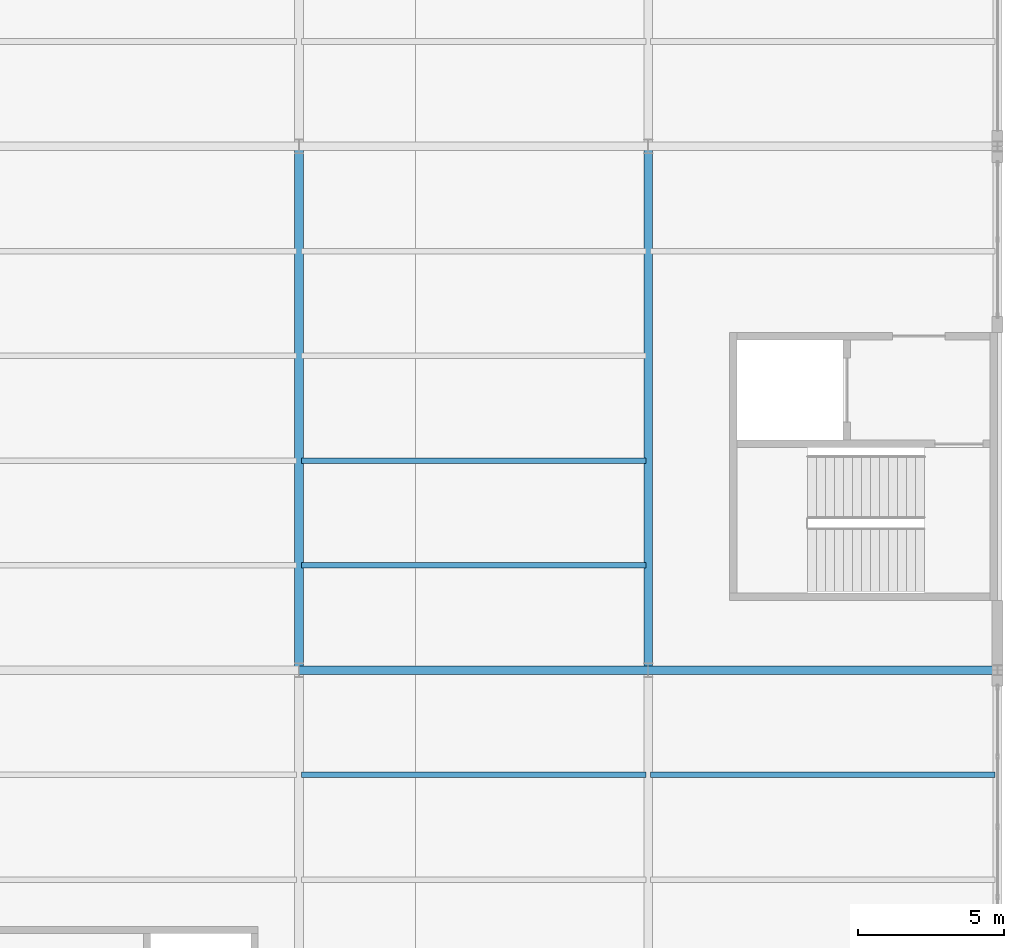
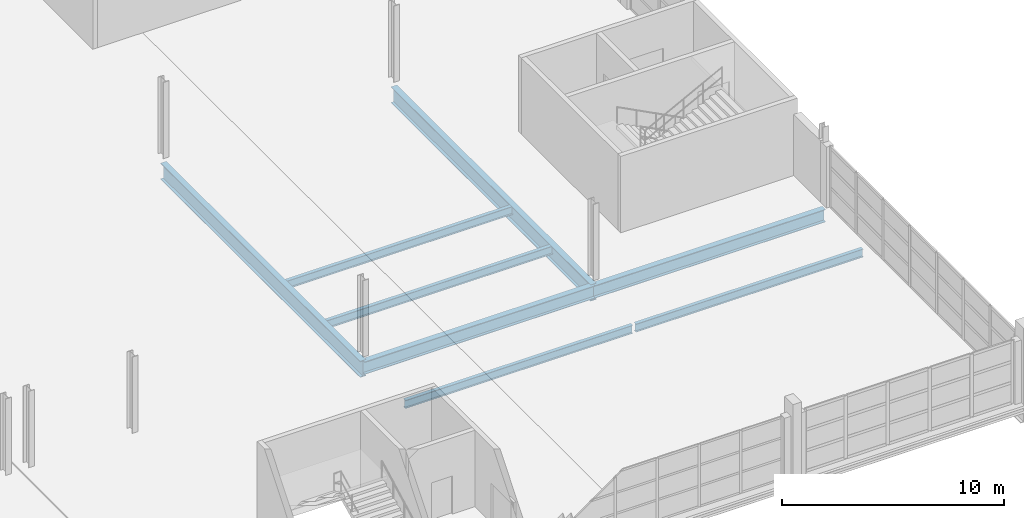
# One storey, part 103 of 147: 8 beams.
"""IFC4 building model written with IfcOpenShell, lengths in metres."""

from ifc_helpers import new_model, si_unit, direction, frame, origin, origin_2d, place, context, subcontext, project, spatial, i_section, extrude, material, material_profile, profile_set, type_object, element, save


model = new_model("IFC4")

# Units and contexts
model_context = context("Model", 3, precision=1e-05, world=origin(), true_north=direction((0.0, 1.0)))
body_context = subcontext(model_context, "Body", "Model", "MODEL_VIEW")
ifc_project = project(units=[si_unit("LENGTHUNIT", "METRE"), si_unit("AREAUNIT", "SQUARE_METRE"), si_unit("VOLUMEUNIT", "CUBIC_METRE"), si_unit("PLANEANGLEUNIT", "RADIAN"), si_unit("MASSUNIT", "GRAM", prefix="KILO")], contexts=[model_context])

# Site, building, storey
site_placement = place(None, origin())
site = spatial("IfcSite", under=ifc_project, at=site_placement, CompositionType="ELEMENT")
building_placement = place(site_placement, origin())
building = spatial("IfcBuilding", under=site, at=building_placement, Name="Zilviju Railside Exhibition Hall", CompositionType="ELEMENT")
storey_placement = place(building_placement, frame((0.0, 0.0, 8.39990234375)))
storey = spatial("IfcBuildingStorey", under=building, at=storey_placement, Name="L03", CompositionType="ELEMENT", Elevation=8.39990234375)

# Beams
ifc_material = material(Name="Steel S355J2", Category="steel")
ifc_material_profile_1 = material_profile(ifc_material, i_section(OverallWidth=0.300048828125, OverallDepth=0.699951171875, WebThickness=0.01708984375, FlangeThickness=0.031982421875, at=origin_2d()), Name="HEB 700")
ifc_profile_set_1 = profile_set([ifc_material_profile_1], Name="Steel S355J2")
beam_type_1 = type_object("IfcBeamType", Name="BM-HEB700", PredefinedType="BEAM", material=ifc_profile_set_1)
for number, where, z_axis, x_axis, name in (
    (1, (192.0, 102.0, -0.72998046875), (1.0, 0.0, 0.0), (0.0, 1.0, 0.0), "Primary Girder L03 Y=102.0 (192.0..204.0)"),
    (2, (204.0, 102.0, -0.72998046875), (1.0, 0.0, 0.0), (0.0, 1.0, 0.0), "Primary Girder L03 Y=102.0 (204.0..216.0)"),
):
    element("IfcBeam", number, at=place(storey_placement, frame(where, z_axis=z_axis, x_axis=x_axis)), inside=storey, type_object=beam_type_1, Name=name, PredefinedType="BEAM", context=body_context, shape_type="SweptSolid", body=[
        extrude(i_section(OverallWidth=0.300048828125, OverallDepth=0.699951171875, WebThickness=0.01708984375, FlangeThickness=0.031982421875, at=origin_2d()), origin(), (0.0, 0.0, 1.0), 12.0),
    ])
ifc_material_profile_2 = material_profile(ifc_material, i_section(OverallWidth=0.300048828125, OverallDepth=0.89990234375, WebThickness=0.0185546875, FlangeThickness=0.034912109375, at=origin_2d()), Name="HEB 900")
ifc_profile_set_2 = profile_set([ifc_material_profile_2], Name="Steel S355J2")
beam_type_2 = type_object("IfcBeamType", Name="BM-HEB900", PredefinedType="BEAM", material=ifc_profile_set_2)
for number, where, z_axis, x_axis, name in (
    (3, (192.0, 102.0, -0.829833984375), (0.0, 1.0, 0.0), (-1.0, 0.0, 0.0), "Transverse Girder L03 X=192.0 (102.0..120.0)"),
    (4, (204.0, 102.0, -0.829833984375), (0.0, 1.0, 0.0), (-1.0, 0.0, 0.0), "Transverse Girder L03 X=204.0 (102.0..120.0)"),
):
    element("IfcBeam", number, at=place(storey_placement, frame(where, z_axis=z_axis, x_axis=x_axis)), inside=storey, type_object=beam_type_2, Name=name, PredefinedType="BEAM", context=body_context, shape_type="SweptSolid", body=[
        extrude(i_section(OverallWidth=0.300048828125, OverallDepth=0.89990234375, WebThickness=0.0185546875, FlangeThickness=0.034912109375, at=origin_2d()), origin(), (0.0, 0.0, 1.0), 18.0),
    ])
ifc_material_profile_3 = material_profile(ifc_material, i_section(OverallWidth=0.18994140625, OverallDepth=0.449951171875, WebThickness=0.009521484375, FlangeThickness=0.0146484375, at=origin_2d()), Name="IPE 450")
ifc_profile_set_3 = profile_set([ifc_material_profile_3], Name="Steel S355J2")
beam_type_3 = type_object("IfcBeamType", Name="BM-IPE450", PredefinedType="JOIST", material=ifc_profile_set_3)
for number, where, z_axis, x_axis, name in (
    (5, (192.080078125, 98.39990234375, -0.60498046875), (1.0, 0.0, 0.0), (0.0, 1.0, 0.0), "Composite Floor Joist L03 Y=98.40 (192.0..204.0)"),
    (6, (192.080078125, 105.60009765625, -0.60498046875), (1.0, 0.0, 0.0), (0.0, 1.0, 0.0), "Composite Floor Joist L03 Y=105.60 (192.0..204.0)"),
    (7, (192.080078125, 109.199951171875, -0.60498046875), (1.0, 0.0, 0.0), (0.0, 1.0, 0.0), "Composite Floor Joist L03 Y=109.20 (192.0..204.0)"),
    (8, (204.080078125, 98.39990234375, -0.60498046875), (1.0, 0.0, 0.0), (0.0, 1.0, 0.0), "Composite Floor Joist L03 Y=98.40 (204.0..216.0)"),
):
    element("IfcBeam", number, at=place(storey_placement, frame(where, z_axis=z_axis, x_axis=x_axis)), inside=storey, type_object=beam_type_3, Name=name, PredefinedType="JOIST", context=body_context, shape_type="SweptSolid", body=[
        extrude(i_section(OverallWidth=0.18994140625, OverallDepth=0.449951171875, WebThickness=0.009521484375, FlangeThickness=0.0146484375, at=origin_2d()), origin(), (0.0, 0.0, 1.0), 11.83984375),
    ])

save(model, "model.ifc")
